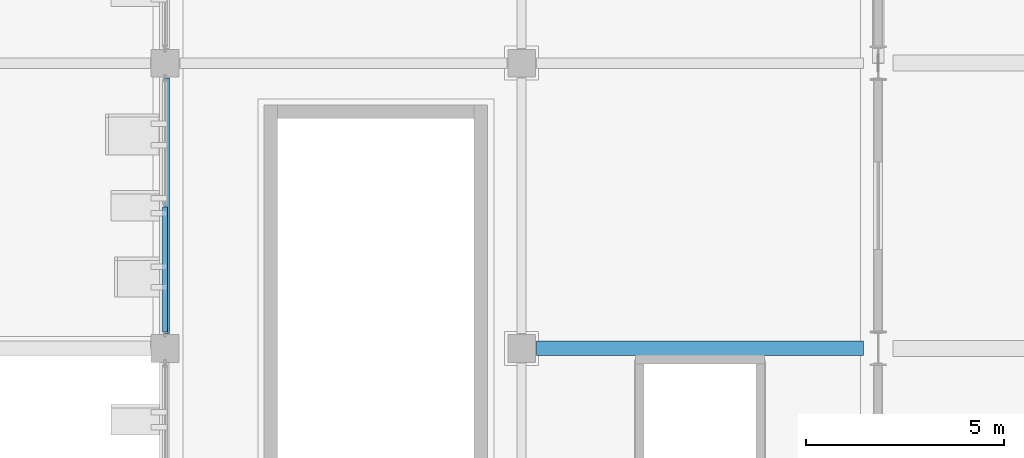
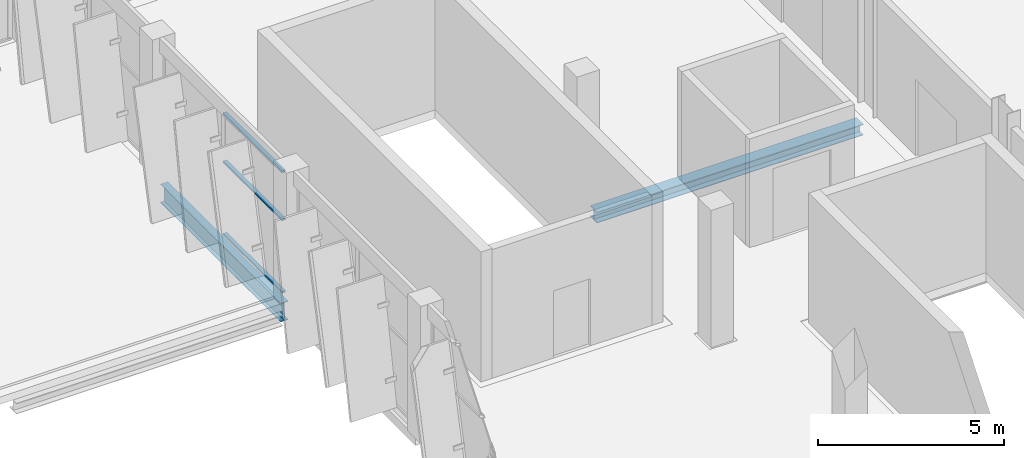
# One storey, part 38 of 151: 3 members, 2 beams, 1 element without a shape of its own.
"""IFC4 building model written with IfcOpenShell, lengths in metres."""

from ifc_helpers import new_model, si_unit, direction, frame, origin, origin_2d, place, context, subcontext, project, spatial, hollow_rectangle, i_section, extrude, material, layer, layer_set, material_profile, profile_set, type_object, element, aggregate, save


model = new_model("IFC4")

# Units and contexts
model_context = context("Model", 3, precision=1e-05, world=origin(), true_north=direction((0.0, 1.0)))
body_context = subcontext(model_context, "Body", "Model", "MODEL_VIEW")
ifc_project = project(units=[si_unit("LENGTHUNIT", "METRE"), si_unit("AREAUNIT", "SQUARE_METRE"), si_unit("VOLUMEUNIT", "CUBIC_METRE"), si_unit("PLANEANGLEUNIT", "RADIAN"), si_unit("MASSUNIT", "GRAM", prefix="KILO")], contexts=[model_context])

# Site, building, storey
site_placement = place(None, origin())
site = spatial("IfcSite", under=ifc_project, at=site_placement, CompositionType="ELEMENT")
building_placement = place(site_placement, origin())
building = spatial("IfcBuilding", under=site, at=building_placement, Name="Celestram Park Convention Centre", CompositionType="ELEMENT")
storey_placement = place(building_placement, frame((0.0, 0.0, 10.800048828125)))
storey = spatial("IfcBuildingStorey", under=building, at=storey_placement, Name="L02", CompositionType="ELEMENT", Elevation=10.800048828125)

# Curtain wall, members
ifc_material_1 = material(Name="Anodised Aluminium Alloy 6063-T6", Category="aluminium")
ifc_layer = layer(ifc_material_1, 0.179931640625)
ifc_layer_set = layer_set([ifc_layer], Name="Anodised Aluminium Alloy 6063-T6")
curtain_wall_type = type_object("IfcCurtainWallType", Name="ARC-CW-650X401", PredefinedType="NOTDEFINED", material=ifc_layer_set)
curtain_wall_placement = place(storey_placement, origin())
curtain_wall = element("IfcCurtainWall", 1, at=curtain_wall_placement, inside=storey, type_object=curtain_wall_type, Name="Unitised curtain wall CU-L02-142", PredefinedType="NOTDEFINED")
ifc_material_profile_1 = material_profile(ifc_material_1, hollow_rectangle(XDim=0.1201171875, YDim=0.06005859375, WallThickness=0.0029296875, at=origin_2d()), Name="ALU120X60X3")
ifc_profile_set_1 = profile_set([ifc_material_profile_1], Name="Anodised Aluminium Alloy 6063-T6")
member_type = type_object("IfcMemberType", Name="ARC-CWT-120", PredefinedType="USERDEFINED", material=ifc_profile_set_1)
member_1_placement = place(storey_placement, frame((144.0, 22.012939453125, 0.030029296875), z_axis=(0.0, 1.0, 0.0), x_axis=(-1.0, 0.0, 0.0)))
member_1 = element("IfcMember", 2, at=member_1_placement, type_object=member_type, Name="CW-65X40 transom 1.1", ObjectType="TRANSOM", PredefinedType="USERDEFINED", context=body_context, shape_type="SweptSolid", body=[
    extrude(hollow_rectangle(XDim=0.1201171875, YDim=0.06005859375, WallThickness=0.0029296875, at=origin_2d()), origin(), (0.0, 0.0, 1.0), 3.154541015625),
])
member_2_placement = place(storey_placement, frame((144.0, 22.012939453125, 2.406005859375), z_axis=(0.0, 1.0, 0.0), x_axis=(-1.0, 0.0, 0.0)))
member_2 = element("IfcMember", 3, at=member_2_placement, type_object=member_type, Name="CW-65X40 transom 1.2", ObjectType="TRANSOM", PredefinedType="USERDEFINED", context=body_context, shape_type="SweptSolid", body=[
    extrude(hollow_rectangle(XDim=0.1201171875, YDim=0.06005859375, WallThickness=0.0029296875, at=origin_2d()), origin(), (0.0, 0.0, 1.0), 3.154541015625),
])
member_3_placement = place(storey_placement, frame((144.0, 22.012939453125, 3.97998046875), z_axis=(0.0, 1.0, 0.0), x_axis=(-1.0, 0.0, 0.0)))
member_3 = element("IfcMember", 4, at=member_3_placement, type_object=member_type, Name="CW-65X40 transom 1.3", ObjectType="TRANSOM", PredefinedType="USERDEFINED", context=body_context, shape_type="SweptSolid", body=[
    extrude(hollow_rectangle(XDim=0.1201171875, YDim=0.06005859375, WallThickness=0.0029296875, at=origin_2d()), origin(), (0.0, 0.0, 1.0), 3.154541015625),
])
aggregate(curtain_wall, [member_1, member_2, member_3])

# Beams
ifc_material_2 = material(Name="Steel ASTM A992 Grade 50", Category="steel")
ifc_material_profile_2 = material_profile(ifc_material_2, i_section(OverallWidth=0.22900390625, OverallDepth=0.612060546875, WebThickness=0.011962890625, FlangeThickness=0.01953125, at=origin_2d()), Name="W24X84")
ifc_profile_set_2 = profile_set([ifc_material_profile_2], Name="Steel ASTM A992 Grade 50")
beam_type_1 = type_object("IfcBeamType", Name="STR-BM-W24X84", PredefinedType="BEAM", material=ifc_profile_set_2)
beam_1_placement = place(storey_placement, frame((144.0, 21.972900390625, -0.5859375), z_axis=(0.0, 1.0, 0.0), x_axis=(-1.0, 0.0, 0.0)))
element("IfcBeam", 5, at=beam_1_placement, inside=storey, type_object=beam_type_1, Name="Primary Y-girder BG-L02-0239", PredefinedType="BEAM", context=body_context, shape_type="SweptSolid", body=[
    extrude(i_section(OverallWidth=0.22900390625, OverallDepth=0.612060546875, WebThickness=0.011962890625, FlangeThickness=0.01953125, at=origin_2d()), origin(), (0.0, 0.0, 1.0), 6.4541015625),
])
ifc_material_profile_3 = material_profile(ifc_material_2, i_section(OverallWidth=0.367919921875, OverallDepth=0.35595703125, WebThickness=0.01123046875, FlangeThickness=0.01806640625, at=origin_2d()), Name="W14X90")
ifc_profile_set_3 = profile_set([ifc_material_profile_3], Name="Steel ASTM A992 Grade 50")
beam_type_2 = type_object("IfcBeamType", Name="STR-SPN-W14X90", PredefinedType="SPANDREL", material=ifc_profile_set_3)
beam_2_placement = place(storey_placement, frame((153.373046875, 21.60009765625, -0.4580078125), z_axis=(1.0, 0.0, 0.0), x_axis=(0.0, 1.0, 0.0)))
element("IfcBeam", 6, at=beam_2_placement, inside=storey, type_object=beam_type_2, Name="Primary X-girder BG-L02-0270", PredefinedType="SPANDREL", context=body_context, shape_type="SweptSolid", body=[
    extrude(i_section(OverallWidth=0.367919921875, OverallDepth=0.35595703125, WebThickness=0.01123046875, FlangeThickness=0.01806640625, at=origin_2d()), origin(), (0.0, 0.0, 1.0), 8.25390625),
])

save(model, "model.ifc")
